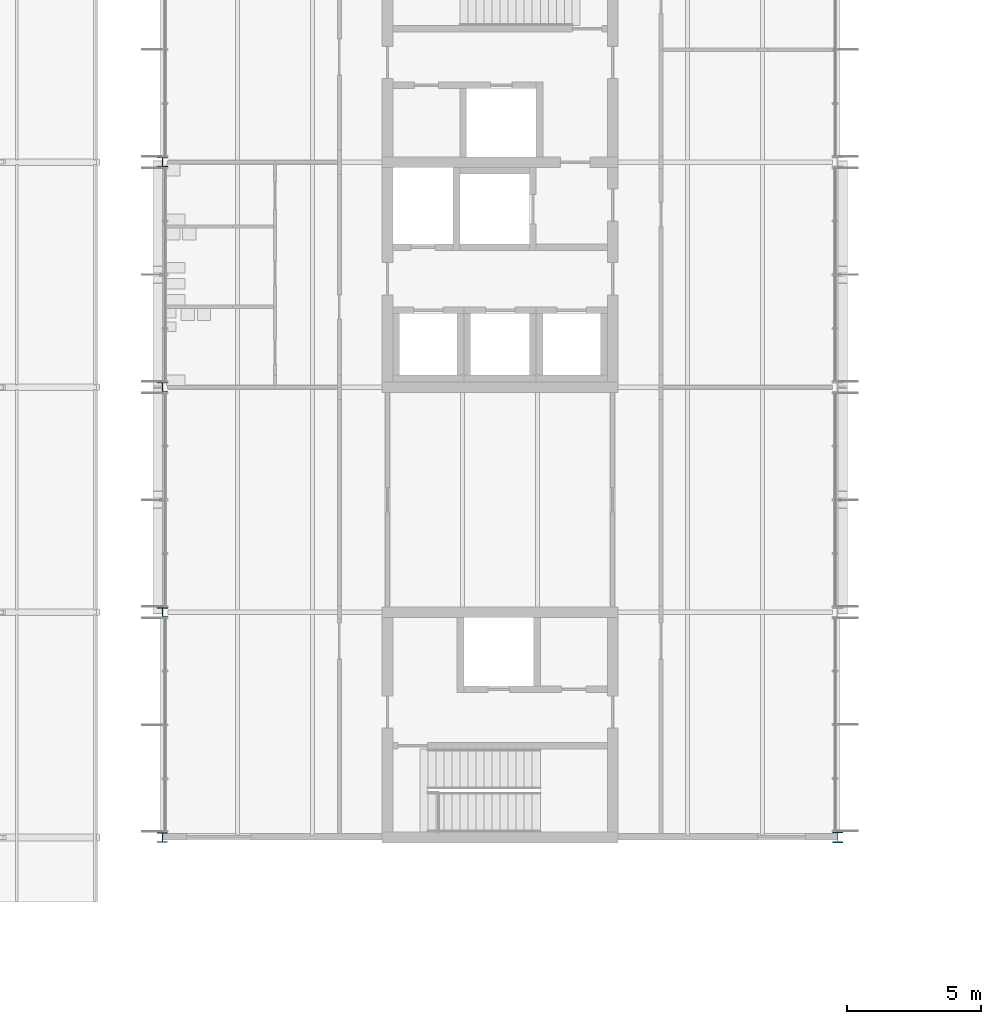
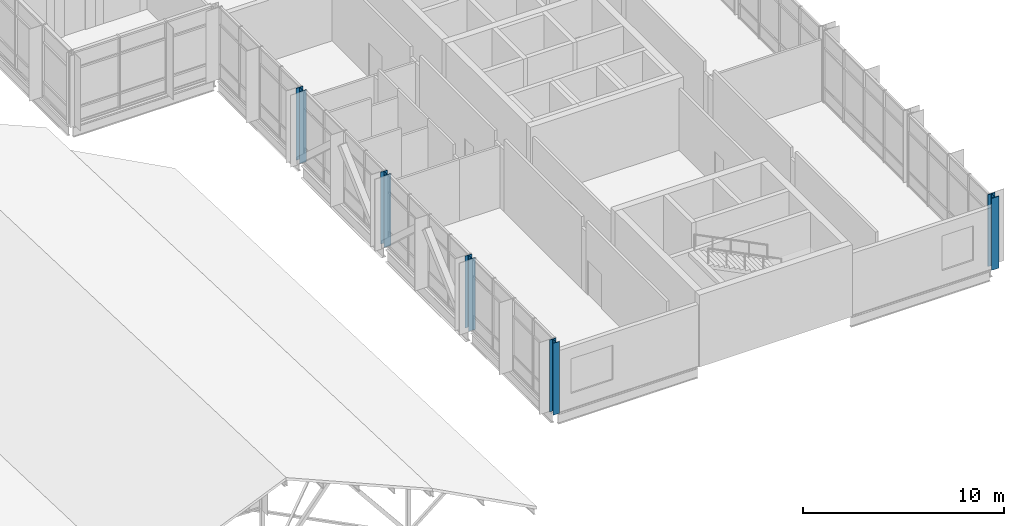
# One storey, part 3 of 76: 5 columns.
"""IFC4 building model written with IfcOpenShell, lengths in metres."""

from ifc_helpers import new_model, si_unit, direction, frame, origin, origin_2d, place, context, subcontext, project, spatial, i_section, extrude, material, material_profile, profile_set, type_object, element, save


model = new_model("IFC4")

# Units and contexts
model_context = context("Model", 3, precision=1e-05, world=origin(), true_north=direction((0.0, 1.0)))
body_context = subcontext(model_context, "Body", "Model", "MODEL_VIEW")
ifc_project = project(units=[si_unit("LENGTHUNIT", "METRE"), si_unit("AREAUNIT", "SQUARE_METRE"), si_unit("VOLUMEUNIT", "CUBIC_METRE"), si_unit("PLANEANGLEUNIT", "RADIAN"), si_unit("MASSUNIT", "GRAM", prefix="KILO")], contexts=[model_context])

# Site, building, storey
site_placement = place(None, origin())
site = spatial("IfcSite", under=ifc_project, at=site_placement, CompositionType="ELEMENT")
building_placement = place(site_placement, origin())
building = spatial("IfcBuilding", under=site, at=building_placement, Name="Hlaing Beacon Police Headquarters", CompositionType="ELEMENT")
storey_placement = place(building_placement, frame((0.0, 0.0, 18.89990234375)))
storey = spatial("IfcBuildingStorey", under=building, at=storey_placement, Name="L04", CompositionType="ELEMENT", Elevation=18.89990234375)

# Columns
ifc_material_1 = material(Name="Steel ASTM A992 Grade 50", Category="steel")
ifc_material_profile_1 = material_profile(ifc_material_1, i_section(OverallWidth=0.373291015625, OverallDepth=0.368408203125, WebThickness=0.014892578125, FlangeThickness=0.02392578125, FilletRadius=0.01513671875, at=origin_2d()), Name="W14x120")
ifc_profile_set_1 = profile_set([ifc_material_profile_1], Name="Steel ASTM A992 Grade 50")
column_type_1 = type_object("IfcColumnType", Name="Steel column W14x120", PredefinedType="COLUMN", material=ifc_profile_set_1)
column_1_placement = place(storey_placement, frame((100.800048828125, 33.60009765625, 0.0), z_axis=(0.0, 0.0, 1.0), x_axis=(1.0, 0.0, 0.0)))
element("IfcColumn", 1, at=column_1_placement, inside=storey, type_object=column_type_1, Name="STR-COL-L04-N5", PredefinedType="COLUMN", context=body_context, shape_type="SweptSolid", body=[
    extrude(i_section(OverallWidth=0.373291015625, OverallDepth=0.368408203125, WebThickness=0.014892578125, FlangeThickness=0.02392578125, FilletRadius=0.01513671875, at=origin_2d()), origin(), (0.0, 0.0, 1.0), 4.3701171875),
])
ifc_material_2 = material(Name="Steel ASTM A992 Grade 50", Category="steel")
ifc_material_profile_2 = material_profile(ifc_material_2, i_section(OverallWidth=0.393798828125, OverallDepth=0.3759765625, WebThickness=0.017333984375, FlangeThickness=0.027587890625, FilletRadius=0.01513671875, at=origin_2d()), Name="W14x145")
ifc_profile_set_2 = profile_set([ifc_material_profile_2], Name="Steel ASTM A992 Grade 50")
column_type_2 = type_object("IfcColumnType", Name="Steel column W14x145", PredefinedType="COLUMN", material=ifc_profile_set_2)
for number, where, z_axis, x_axis, name in (
    (2, (100.800048828125, 42.0, 0.0), (0.0, 0.0, 1.0), (1.0, 0.0, 0.0), "STR-COL-L04-N6"),
    (3, (100.800048828125, 50.39990234375, 0.0), (0.0, 0.0, 1.0), (1.0, 0.0, 0.0), "STR-COL-L04-N7"),
    (4, (100.800048828125, 58.800048828125, 0.0), (0.0, 0.0, 1.0), (1.0, 0.0, 0.0), "STR-COL-L04-N8"),
):
    element("IfcColumn", number, at=place(storey_placement, frame(where, z_axis=z_axis, x_axis=x_axis)), inside=storey, type_object=column_type_2, Name=name, PredefinedType="COLUMN", context=body_context, shape_type="SweptSolid", body=[
        extrude(i_section(OverallWidth=0.393798828125, OverallDepth=0.3759765625, WebThickness=0.017333984375, FlangeThickness=0.027587890625, FilletRadius=0.01513671875, at=origin_2d()), origin(), (0.0, 0.0, 1.0), 4.3701171875),
    ])
ifc_material_3 = material(Name="Steel ASTM A992 Grade 50", Category="steel")
ifc_material_profile_3 = material_profile(ifc_material_3, i_section(OverallWidth=0.40380859375, OverallDepth=0.406494140625, WebThickness=0.027099609375, FlangeThickness=0.043701171875, FilletRadius=0.01513671875, at=origin_2d()), Name="W14x233")
ifc_profile_set_3 = profile_set([ifc_material_profile_3], Name="Steel ASTM A992 Grade 50")
column_type_3 = type_object("IfcColumnType", Name="Steel column W14x233", PredefinedType="COLUMN", material=ifc_profile_set_3)
column_2_placement = place(storey_placement, frame((126.0, 33.60009765625, 0.0), z_axis=(0.0, 0.0, 1.0), x_axis=(1.0, 0.0, 0.0)))
element("IfcColumn", 5, at=column_2_placement, inside=storey, type_object=column_type_3, Name="STR-COL-L04-R5", PredefinedType="COLUMN", context=body_context, shape_type="SweptSolid", body=[
    extrude(i_section(OverallWidth=0.40380859375, OverallDepth=0.406494140625, WebThickness=0.027099609375, FlangeThickness=0.043701171875, FilletRadius=0.01513671875, at=origin_2d()), origin(), (0.0, 0.0, 1.0), 4.3701171875),
])

save(model, "model.ifc")
